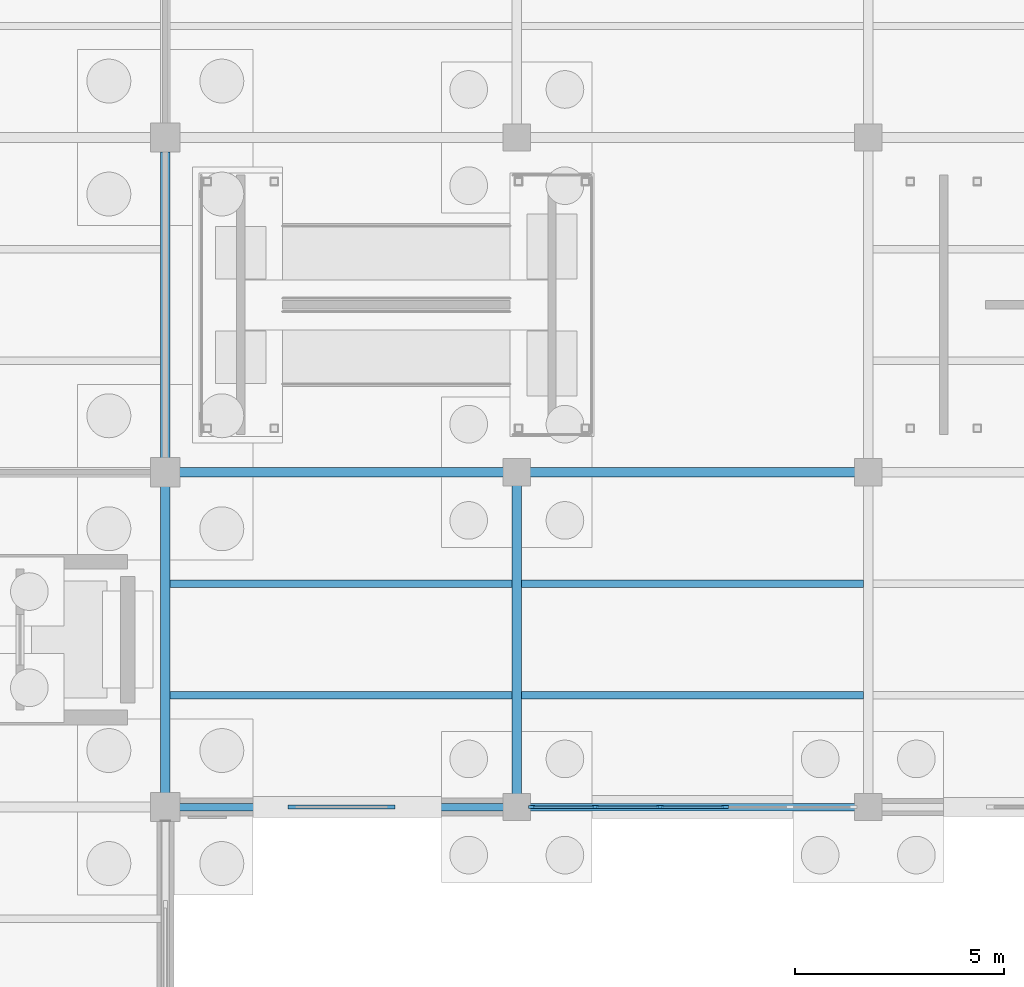
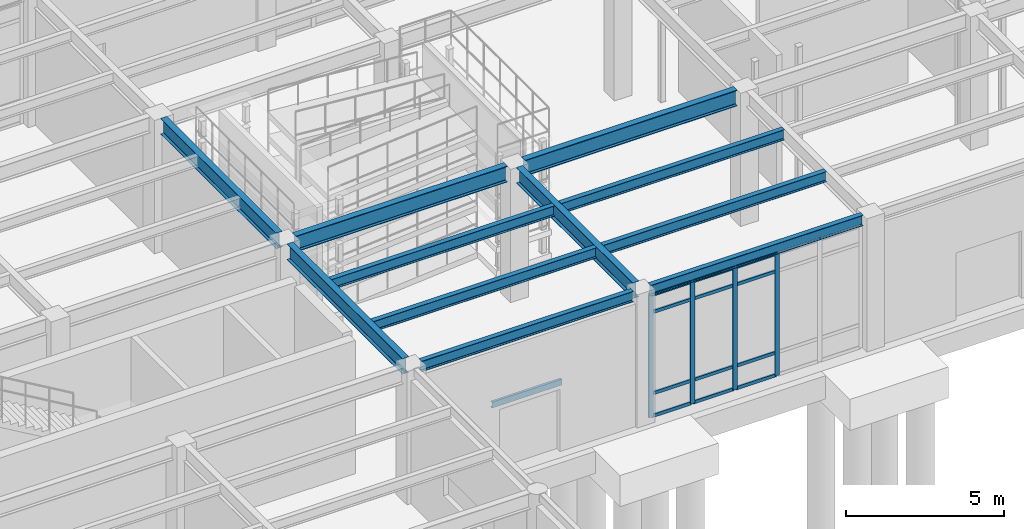
# One storey, part 23 of 138: 16 members, 12 beams, 1 element without a shape of its own.
"""IFC4 building model written with IfcOpenShell, lengths in metres."""

from ifc_helpers import new_model, si_unit, direction, frame, origin, origin_2d, place, context, subcontext, project, spatial, rectangle, i_section, u_section, extrude, material, layer, layer_set, material_profile, profile_set, type_object, element, aggregate, save


model = new_model("IFC4")

# Units and contexts
model_context = context("Model", 3, precision=1e-05, world=origin(), true_north=direction((0.0, 1.0)))
body_context = subcontext(model_context, "Body", "Model", "MODEL_VIEW")
ifc_project = project(units=[si_unit("LENGTHUNIT", "METRE"), si_unit("AREAUNIT", "SQUARE_METRE"), si_unit("VOLUMEUNIT", "CUBIC_METRE"), si_unit("PLANEANGLEUNIT", "RADIAN"), si_unit("MASSUNIT", "GRAM", prefix="KILO")], contexts=[model_context])

# Site, building, storey
site_placement = place(None, origin())
site = spatial("IfcSite", under=ifc_project, at=site_placement, CompositionType="ELEMENT")
building_placement = place(site_placement, origin())
building = spatial("IfcBuilding", under=site, at=building_placement, Name="Kranzveld Transit Interchange", CompositionType="ELEMENT")
storey_placement = place(building_placement, origin())
storey = spatial("IfcBuildingStorey", under=building, at=storey_placement, Name="L00", CompositionType="ELEMENT", Elevation=0.0)

# Curtain wall, members
ifc_material_1 = material(Name="Bronze-anodised thermally broken aluminium", Category="aluminium")
ifc_layer = layer(ifc_material_1, 0.1650390625)
ifc_layer_set = layer_set([ifc_layer], Name="Bronze-anodised thermally broken aluminium")
curtain_wall_type = type_object("IfcCurtainWallType", Name="Sunny Court Arcade Curtain Wall CW-2", PredefinedType="USERDEFINED", material=ifc_layer_set)
curtain_wall_placement = place(storey_placement, origin())
curtain_wall = element("IfcCurtainWall", 1, at=curtain_wall_placement, inside=storey, type_object=curtain_wall_type, Name="L00 Curtain Wall 04/C-05/C", ObjectType="CURTAIN WALL", PredefinedType="USERDEFINED")
ifc_material_2 = material(Name="Bronze-anodised thermally broken aluminium", Category="aluminium")
ifc_material_profile_1 = material_profile(ifc_material_2, rectangle(XDim=0.06494140625, YDim=0.1650390625, at=origin_2d()), Name="ALU MULLION 65x165")
ifc_profile_set_1 = profile_set([ifc_material_profile_1], Name="Bronze-anodised thermally broken aluminium")
member_type_1 = type_object("IfcMemberType", Name="Curtain Wall Mullion 65x165 Alu", PredefinedType="MULLION", material=ifc_profile_set_1)
member_1_placement = place(storey_placement, frame((25.5576171875, 16.0, 0.0), z_axis=(0.0, 0.0, 1.0), x_axis=(0.0, 1.0, 0.0)))
member_1 = element("IfcMember", 2, at=member_1_placement, type_object=member_type_1, Name="CW-2 mullion 1", PredefinedType="MULLION", context=body_context, shape_type="SweptSolid", body=[
    extrude(rectangle(XDim=0.06494140625, YDim=0.1650390625, at=origin_2d()), origin(), (0.0, 0.0, 1.0), 4.740478515625),
])
member_2_placement = place(storey_placement, frame((27.074951171875, 16.0, 0.0), z_axis=(0.0, 0.0, 1.0), x_axis=(0.0, 1.0, 0.0)))
member_2 = element("IfcMember", 3, at=member_2_placement, type_object=member_type_1, Name="CW-2 mullion 2", PredefinedType="MULLION", context=body_context, shape_type="SweptSolid", body=[
    extrude(rectangle(XDim=0.06494140625, YDim=0.1650390625, at=origin_2d()), origin(), (0.0, 0.0, 1.0), 4.740478515625),
])
member_3_placement = place(storey_placement, frame((28.625, 16.0, 0.0), z_axis=(0.0, 0.0, 1.0), x_axis=(0.0, 1.0, 0.0)))
member_3 = element("IfcMember", 4, at=member_3_placement, type_object=member_type_1, Name="CW-2 mullion 3", PredefinedType="MULLION", context=body_context, shape_type="SweptSolid", body=[
    extrude(rectangle(XDim=0.06494140625, YDim=0.1650390625, at=origin_2d()), origin(), (0.0, 0.0, 1.0), 4.740478515625),
])
member_4_placement = place(storey_placement, frame((30.175048828125, 16.0, 0.0), z_axis=(0.0, 0.0, 1.0), x_axis=(0.0, 1.0, 0.0)))
member_4 = element("IfcMember", 5, at=member_4_placement, type_object=member_type_1, Name="CW-2 mullion 4", PredefinedType="MULLION", context=body_context, shape_type="SweptSolid", body=[
    extrude(rectangle(XDim=0.06494140625, YDim=0.1650390625, at=origin_2d()), origin(), (0.0, 0.0, 1.0), 4.740478515625),
])
ifc_material_3 = material(Name="Bronze-anodised thermally broken aluminium", Category="aluminium")
ifc_material_profile_2 = material_profile(ifc_material_3, rectangle(XDim=0.06005859375, YDim=0.125, at=origin_2d()), Name="ALU TRANSOM 60x125")
ifc_profile_set_2 = profile_set([ifc_material_profile_2], Name="Bronze-anodised thermally broken aluminium")
member_type_2 = type_object("IfcMemberType", Name="Curtain Wall Transom 60x125 Alu", PredefinedType="USERDEFINED", material=ifc_profile_set_2)
member_5_placement = place(storey_placement, frame((25.590087890625, 16.0, 0.030029296875), z_axis=(1.0, 0.0, 0.0), x_axis=(0.0, 1.0, 0.0)))
member_5 = element("IfcMember", 6, at=member_5_placement, type_object=member_type_2, Name="CW-2 transom 1.1", ObjectType="TRANSOM", PredefinedType="USERDEFINED", context=body_context, shape_type="SweptSolid", body=[
    extrude(rectangle(XDim=0.06005859375, YDim=0.125, at=origin_2d()), origin(), (0.0, 0.0, 1.0), 1.452392578125),
])
member_6_placement = place(storey_placement, frame((25.590087890625, 16.0, 0.89990234375), z_axis=(1.0, 0.0, 0.0), x_axis=(0.0, 1.0, 0.0)))
member_6 = element("IfcMember", 7, at=member_6_placement, type_object=member_type_2, Name="CW-2 transom 1.2", ObjectType="TRANSOM", PredefinedType="USERDEFINED", context=body_context, shape_type="SweptSolid", body=[
    extrude(rectangle(XDim=0.06005859375, YDim=0.125, at=origin_2d()), origin(), (0.0, 0.0, 1.0), 1.452392578125),
])
member_7_placement = place(storey_placement, frame((25.590087890625, 16.0, 4.04052734375), z_axis=(1.0, 0.0, 0.0), x_axis=(0.0, 1.0, 0.0)))
member_7 = element("IfcMember", 8, at=member_7_placement, type_object=member_type_2, Name="CW-2 transom 1.3", ObjectType="TRANSOM", PredefinedType="USERDEFINED", context=body_context, shape_type="SweptSolid", body=[
    extrude(rectangle(XDim=0.06005859375, YDim=0.125, at=origin_2d()), origin(), (0.0, 0.0, 1.0), 1.452392578125),
])
member_8_placement = place(storey_placement, frame((25.590087890625, 16.0, 4.710693359375), z_axis=(1.0, 0.0, 0.0), x_axis=(0.0, 1.0, 0.0)))
member_8 = element("IfcMember", 9, at=member_8_placement, type_object=member_type_2, Name="CW-2 transom 1.4", ObjectType="TRANSOM", PredefinedType="USERDEFINED", context=body_context, shape_type="SweptSolid", body=[
    extrude(rectangle(XDim=0.06005859375, YDim=0.125, at=origin_2d()), origin(), (0.0, 0.0, 1.0), 1.452392578125),
])
member_9_placement = place(storey_placement, frame((27.107421875, 16.0, 0.030029296875), z_axis=(1.0, 0.0, 0.0), x_axis=(0.0, 1.0, 0.0)))
member_9 = element("IfcMember", 10, at=member_9_placement, type_object=member_type_2, Name="CW-2 transom 2.1", ObjectType="TRANSOM", PredefinedType="USERDEFINED", context=body_context, shape_type="SweptSolid", body=[
    extrude(rectangle(XDim=0.06005859375, YDim=0.125, at=origin_2d()), origin(), (0.0, 0.0, 1.0), 1.485107421875),
])
member_10_placement = place(storey_placement, frame((27.107421875, 16.0, 0.89990234375), z_axis=(1.0, 0.0, 0.0), x_axis=(0.0, 1.0, 0.0)))
member_10 = element("IfcMember", 11, at=member_10_placement, type_object=member_type_2, Name="CW-2 transom 2.2", ObjectType="TRANSOM", PredefinedType="USERDEFINED", context=body_context, shape_type="SweptSolid", body=[
    extrude(rectangle(XDim=0.06005859375, YDim=0.125, at=origin_2d()), origin(), (0.0, 0.0, 1.0), 1.485107421875),
])
member_11_placement = place(storey_placement, frame((27.107421875, 16.0, 4.04052734375), z_axis=(1.0, 0.0, 0.0), x_axis=(0.0, 1.0, 0.0)))
member_11 = element("IfcMember", 12, at=member_11_placement, type_object=member_type_2, Name="CW-2 transom 2.3", ObjectType="TRANSOM", PredefinedType="USERDEFINED", context=body_context, shape_type="SweptSolid", body=[
    extrude(rectangle(XDim=0.06005859375, YDim=0.125, at=origin_2d()), origin(), (0.0, 0.0, 1.0), 1.485107421875),
])
member_12_placement = place(storey_placement, frame((27.107421875, 16.0, 4.710693359375), z_axis=(1.0, 0.0, 0.0), x_axis=(0.0, 1.0, 0.0)))
member_12 = element("IfcMember", 13, at=member_12_placement, type_object=member_type_2, Name="CW-2 transom 2.4", ObjectType="TRANSOM", PredefinedType="USERDEFINED", context=body_context, shape_type="SweptSolid", body=[
    extrude(rectangle(XDim=0.06005859375, YDim=0.125, at=origin_2d()), origin(), (0.0, 0.0, 1.0), 1.485107421875),
])
member_13_placement = place(storey_placement, frame((28.657470703125, 16.0, 0.030029296875), z_axis=(1.0, 0.0, 0.0), x_axis=(0.0, 1.0, 0.0)))
member_13 = element("IfcMember", 14, at=member_13_placement, type_object=member_type_2, Name="CW-2 transom 3.1", ObjectType="TRANSOM", PredefinedType="USERDEFINED", context=body_context, shape_type="SweptSolid", body=[
    extrude(rectangle(XDim=0.06005859375, YDim=0.125, at=origin_2d()), origin(), (0.0, 0.0, 1.0), 1.485107421875),
])
member_14_placement = place(storey_placement, frame((28.657470703125, 16.0, 0.89990234375), z_axis=(1.0, 0.0, 0.0), x_axis=(0.0, 1.0, 0.0)))
member_14 = element("IfcMember", 15, at=member_14_placement, type_object=member_type_2, Name="CW-2 transom 3.2", ObjectType="TRANSOM", PredefinedType="USERDEFINED", context=body_context, shape_type="SweptSolid", body=[
    extrude(rectangle(XDim=0.06005859375, YDim=0.125, at=origin_2d()), origin(), (0.0, 0.0, 1.0), 1.485107421875),
])
member_15_placement = place(storey_placement, frame((28.657470703125, 16.0, 4.04052734375), z_axis=(1.0, 0.0, 0.0), x_axis=(0.0, 1.0, 0.0)))
member_15 = element("IfcMember", 16, at=member_15_placement, type_object=member_type_2, Name="CW-2 transom 3.3", ObjectType="TRANSOM", PredefinedType="USERDEFINED", context=body_context, shape_type="SweptSolid", body=[
    extrude(rectangle(XDim=0.06005859375, YDim=0.125, at=origin_2d()), origin(), (0.0, 0.0, 1.0), 1.485107421875),
])
member_16_placement = place(storey_placement, frame((28.657470703125, 16.0, 4.710693359375), z_axis=(1.0, 0.0, 0.0), x_axis=(0.0, 1.0, 0.0)))
member_16 = element("IfcMember", 17, at=member_16_placement, type_object=member_type_2, Name="CW-2 transom 3.4", ObjectType="TRANSOM", PredefinedType="USERDEFINED", context=body_context, shape_type="SweptSolid", body=[
    extrude(rectangle(XDim=0.06005859375, YDim=0.125, at=origin_2d()), origin(), (0.0, 0.0, 1.0), 1.485107421875),
])
aggregate(curtain_wall, [member_1, member_2, member_3, member_4, member_5, member_6, member_7, member_8, member_9, member_10, member_11, member_12, member_13, member_14, member_15, member_16])

# Beams
ifc_material_4 = material(Name="Steel S355JR", Category="steel")
ifc_material_profile_3 = material_profile(ifc_material_4, i_section(OverallWidth=0.1787109375, OverallDepth=0.409423828125, WebThickness=0.0087890625, FlangeThickness=0.014404296875, FilletRadius=0.01025390625, at=origin_2d()), Name="UB 406x178x67")
ifc_profile_set_3 = profile_set([ifc_material_profile_3], Name="Steel S355JR")
beam_type_1 = type_object("IfcBeamType", Name="Facade Spandrel UB 406x178x67 S355JR", PredefinedType="SPANDREL", material=ifc_profile_set_3)
beam_1_placement = place(storey_placement, frame((17.139892578125, 16.0, 4.9453125), z_axis=(1.0, 0.0, 0.0), x_axis=(0.0, 1.0, 0.0)))
element("IfcBeam", 18, at=beam_1_placement, inside=storey, type_object=beam_type_1, Name="L00 Girder 03-04/C", PredefinedType="SPANDREL", context=body_context, shape_type="SweptSolid", body=[
    extrude(i_section(OverallWidth=0.1787109375, OverallDepth=0.409423828125, WebThickness=0.0087890625, FlangeThickness=0.014404296875, FilletRadius=0.01025390625, at=origin_2d()), origin(), (0.0, 0.0, 1.0), 7.7451171875),
])
beam_2_placement = place(storey_placement, frame((25.514892578125, 16.0, 4.9453125), z_axis=(1.0, 0.0, 0.0), x_axis=(0.0, 1.0, 0.0)))
element("IfcBeam", 19, at=beam_2_placement, inside=storey, type_object=beam_type_1, Name="L00 Girder 04-05/C", PredefinedType="SPANDREL", context=body_context, shape_type="SweptSolid", body=[
    extrude(i_section(OverallWidth=0.1787109375, OverallDepth=0.409423828125, WebThickness=0.0087890625, FlangeThickness=0.014404296875, FilletRadius=0.01025390625, at=origin_2d()), origin(), (0.0, 0.0, 1.0), 7.77001953125),
])
ifc_material_5 = material(Name="Steel S355JR", Category="steel")
ifc_material_profile_4 = material_profile(ifc_material_5, i_section(OverallWidth=0.177734375, OverallDepth=0.402587890625, WebThickness=0.0078125, FlangeThickness=0.010986328125, FilletRadius=0.01025390625, at=origin_2d()), Name="UB 406x178x54")
ifc_profile_set_4 = profile_set([ifc_material_profile_4], Name="Steel S355JR")
beam_type_2 = type_object("IfcBeamType", Name="Floor Joist UB 406x178x54 S355JR", PredefinedType="JOIST", material=ifc_profile_set_4)
for number, where, z_axis, x_axis, name in (
    (20, (16.916015625, 18.666748046875, 4.94873046875), (1.0, 0.0, 0.0), (0.0, 1.0, 0.0), "L00 Secondary Joist 03-04/C.1"),
    (21, (16.916015625, 21.333251953125, 4.94873046875), (1.0, 0.0, 0.0), (0.0, 1.0, 0.0), "L00 Secondary Joist 03-04/C.2"),
):
    element("IfcBeam", number, at=place(storey_placement, frame(where, z_axis=z_axis, x_axis=x_axis)), inside=storey, type_object=beam_type_2, Name=name, PredefinedType="JOIST", context=body_context, shape_type="SweptSolid", body=[
        extrude(i_section(OverallWidth=0.177734375, OverallDepth=0.402587890625, WebThickness=0.0078125, FlangeThickness=0.010986328125, FilletRadius=0.01025390625, at=origin_2d()), origin(), (0.0, 0.0, 1.0), 8.16796875),
    ])
for number, where, z_axis, x_axis, name in (
    (22, (25.316162109375, 18.666748046875, 4.94873046875), (1.0, 0.0, 0.0), (0.0, 1.0, 0.0), "L00 Secondary Joist 04-05/C.1"),
    (23, (25.316162109375, 21.333251953125, 4.94873046875), (1.0, 0.0, 0.0), (0.0, 1.0, 0.0), "L00 Secondary Joist 04-05/C.2"),
):
    element("IfcBeam", number, at=place(storey_placement, frame(where, z_axis=z_axis, x_axis=x_axis)), inside=storey, type_object=beam_type_2, Name=name, PredefinedType="JOIST", context=body_context, shape_type="SweptSolid", body=[
        extrude(i_section(OverallWidth=0.177734375, OverallDepth=0.402587890625, WebThickness=0.0078125, FlangeThickness=0.010986328125, FilletRadius=0.01025390625, at=origin_2d()), origin(), (0.0, 0.0, 1.0), 8.167724609375),
    ])
ifc_material_6 = material(Name="Steel S355JR", Category="steel")
ifc_material_profile_5 = material_profile(ifc_material_6, i_section(OverallWidth=0.228271484375, OverallDepth=0.607666015625, WebThickness=0.010986328125, FlangeThickness=0.017333984375, FilletRadius=0.0126953125, at=origin_2d()), Name="UB 610x229x113")
ifc_profile_set_5 = profile_set([ifc_material_profile_5], Name="Steel S355JR")
beam_type_3 = type_object("IfcBeamType", Name="Girder Steel UB 610x229x113 S355JR", PredefinedType="BEAM", material=ifc_profile_set_5)
for number, where, z_axis, x_axis, name in (
    (24, (16.800048828125, 16.340087890625, 4.84619140625), (0.0, 1.0, 0.0), (-1.0, 0.0, 0.0), "L00 Girder 03/C-D"),
    (25, (16.800048828125, 24.340087890625, 4.84619140625), (0.0, 1.0, 0.0), (-1.0, 0.0, 0.0), "L00 Girder 03/D-E"),
):
    element("IfcBeam", number, at=place(storey_placement, frame(where, z_axis=z_axis, x_axis=x_axis)), inside=storey, type_object=beam_type_3, Name=name, PredefinedType="BEAM", context=body_context, shape_type="SweptSolid", body=[
        extrude(i_section(OverallWidth=0.228271484375, OverallDepth=0.607666015625, WebThickness=0.010986328125, FlangeThickness=0.017333984375, FilletRadius=0.0126953125, at=origin_2d()), origin(), (0.0, 0.0, 1.0), 7.31982421875),
    ])
beam_3_placement = place(storey_placement, frame((25.199951171875, 16.31494140625, 4.84619140625), z_axis=(0.0, 1.0, 0.0), x_axis=(-1.0, 0.0, 0.0)))
element("IfcBeam", 26, at=beam_3_placement, inside=storey, type_object=beam_type_3, Name="L00 Girder 04/C-D", PredefinedType="BEAM", context=body_context, shape_type="SweptSolid", body=[
    extrude(i_section(OverallWidth=0.228271484375, OverallDepth=0.607666015625, WebThickness=0.010986328125, FlangeThickness=0.017333984375, FilletRadius=0.0126953125, at=origin_2d()), origin(), (0.0, 0.0, 1.0), 7.3701171875),
])
ifc_material_7 = material(Name="Steel S355JR", Category="steel")
ifc_material_profile_6 = material_profile(ifc_material_7, i_section(OverallWidth=0.230224609375, OverallDepth=0.6171875, WebThickness=0.01318359375, FlangeThickness=0.022216796875, FilletRadius=0.0126953125, at=origin_2d()), Name="UB 610x229x140")
ifc_profile_set_6 = profile_set([ifc_material_profile_6], Name="Steel S355JR")
beam_type_4 = type_object("IfcBeamType", Name="Girder Steel UB 610x229x140 S355JR", PredefinedType="BEAM", material=ifc_profile_set_6)
beam_4_placement = place(storey_placement, frame((17.139892578125, 24.0, 4.84130859375), z_axis=(1.0, 0.0, 0.0), x_axis=(0.0, 1.0, 0.0)))
element("IfcBeam", 27, at=beam_4_placement, inside=storey, type_object=beam_type_4, Name="L00 Girder 03-04/D", PredefinedType="BEAM", context=body_context, shape_type="SweptSolid", body=[
    extrude(i_section(OverallWidth=0.230224609375, OverallDepth=0.6171875, WebThickness=0.01318359375, FlangeThickness=0.022216796875, FilletRadius=0.0126953125, at=origin_2d()), origin(), (0.0, 0.0, 1.0), 7.7451171875),
])
beam_5_placement = place(storey_placement, frame((25.514892578125, 24.0, 4.84130859375), z_axis=(1.0, 0.0, 0.0), x_axis=(0.0, 1.0, 0.0)))
element("IfcBeam", 28, at=beam_5_placement, inside=storey, type_object=beam_type_4, Name="L00 Girder 04-05/D", PredefinedType="BEAM", context=body_context, shape_type="SweptSolid", body=[
    extrude(i_section(OverallWidth=0.230224609375, OverallDepth=0.6171875, WebThickness=0.01318359375, FlangeThickness=0.022216796875, FilletRadius=0.0126953125, at=origin_2d()), origin(), (0.0, 0.0, 1.0), 7.77001953125),
])
ifc_material_8 = material(Name="Steel S355JR", Category="steel")
ifc_material_profile_7 = material_profile(ifc_material_8, u_section(Depth=0.22998046875, FlangeWidth=0.090087890625, WebThickness=0.007568359375, FlangeThickness=0.013916015625, FilletRadius=0.011962890625, at=origin_2d()), Name="PFC 230x90x32")
ifc_profile_set_7 = profile_set([ifc_material_profile_7], Name="Steel S355JR")
beam_type_5 = type_object("IfcBeamType", Name="Masonry Lintel PFC 230x90x32 S355JR", PredefinedType="LINTEL", material=ifc_profile_set_7)
beam_6_placement = place(storey_placement, frame((19.732421875, 16.0, 2.52001953125), z_axis=(1.0, 0.0, 0.0), x_axis=(0.0, 1.0, 0.0)))
element("IfcBeam", 29, at=beam_6_placement, inside=storey, type_object=beam_type_5, Name="L00 Entrance Door Lintel 012", PredefinedType="LINTEL", context=body_context, shape_type="SweptSolid", body=[
    extrude(u_section(Depth=0.22998046875, FlangeWidth=0.090087890625, WebThickness=0.007568359375, FlangeThickness=0.013916015625, FilletRadius=0.011962890625, at=origin_2d()), origin(), (0.0, 0.0, 1.0), 2.56005859375),
])

save(model, "model.ifc")
